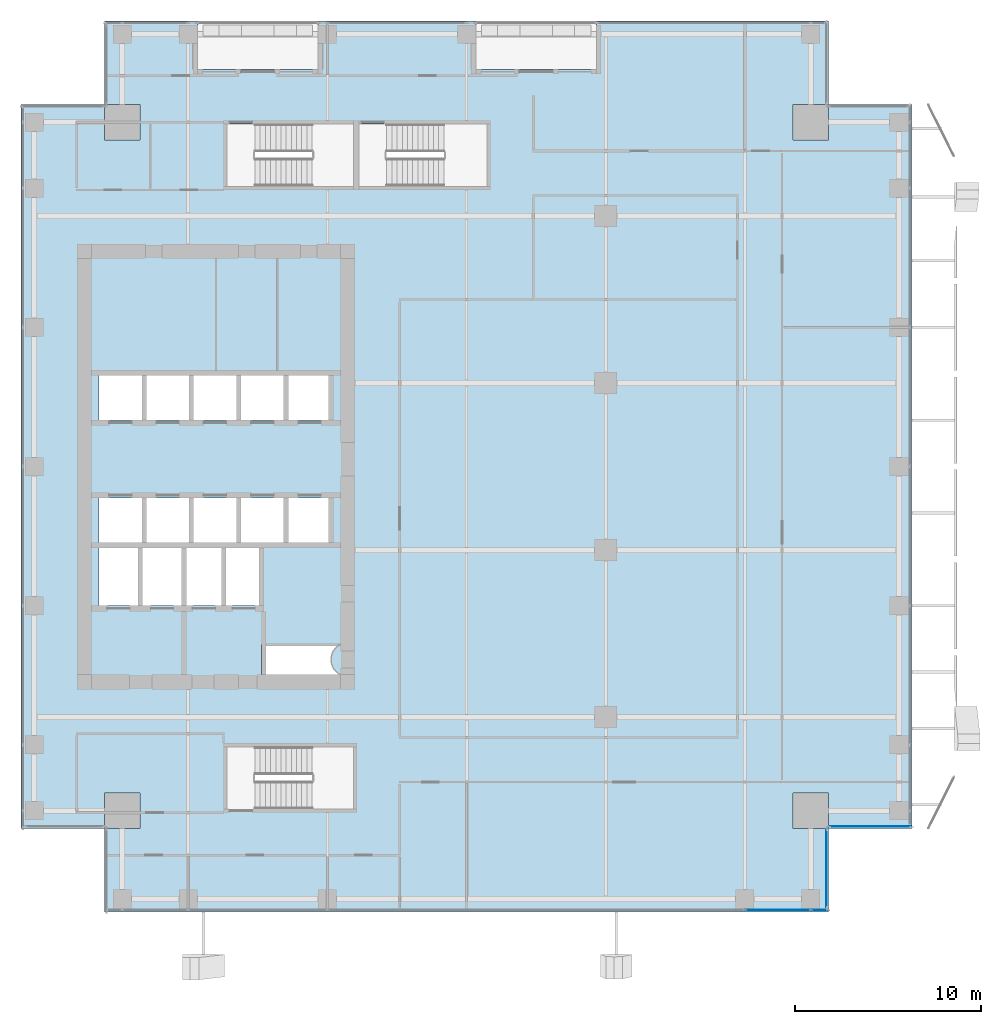
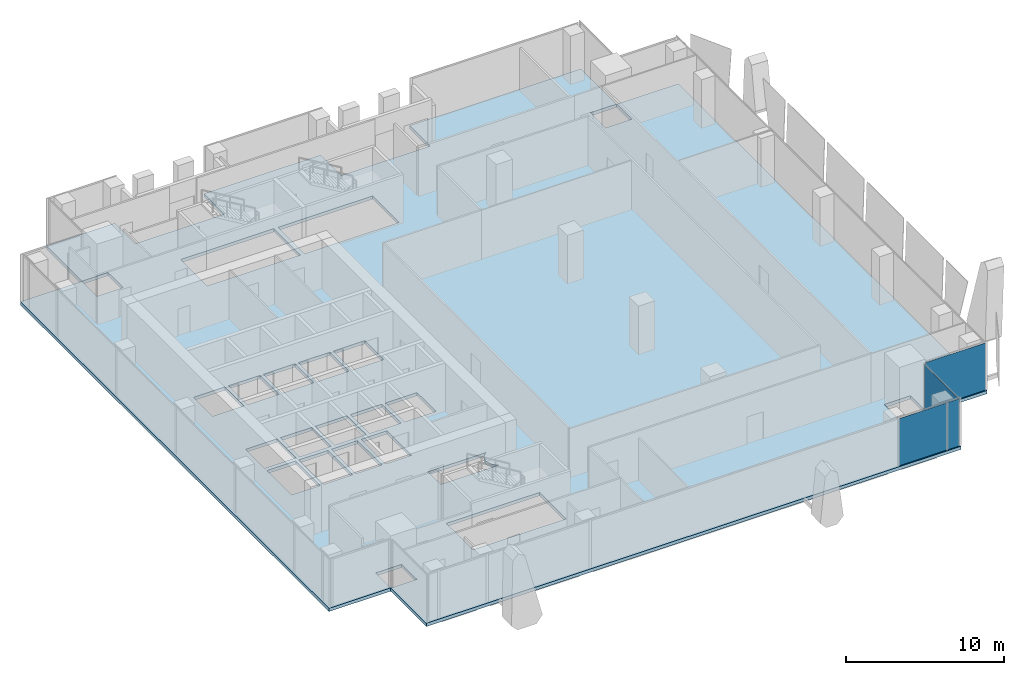
# One storey, part 28 of 38: 4 plates, 1 slab, 3 elements without a shape of their own.
"""IFC4 building model written with IfcOpenShell, lengths in metres."""

from ifc_helpers import new_model, si_unit, direction, frame, origin, origin_2d, place, context, subcontext, project, spatial, polyline, rectangle, outline, extrude, source, transform, mapped, material, layer, layer_set, type_object, element, aggregate, save


model = new_model("IFC4")

# Units and contexts
model_context = context("Model", 3, precision=1e-05, world=origin(), true_north=direction((0.0, 1.0)))
body_context = subcontext(model_context, "Body", "Model", "MODEL_VIEW")
ifc_project = project(units=[si_unit("LENGTHUNIT", "METRE"), si_unit("AREAUNIT", "SQUARE_METRE"), si_unit("VOLUMEUNIT", "CUBIC_METRE"), si_unit("PLANEANGLEUNIT", "RADIAN"), si_unit("MASSUNIT", "GRAM", prefix="KILO")], contexts=[model_context])

# Site, building, storey
site_placement = place(None, origin())
site = spatial("IfcSite", under=ifc_project, at=site_placement, CompositionType="ELEMENT")
building_placement = place(site_placement, origin())
building = spatial("IfcBuilding", under=site, at=building_placement, Name="Khomas Fold Tower", CompositionType="ELEMENT")
storey_placement = place(building_placement, frame((0.0, 0.0, 208.699951171875)))
storey = spatial("IfcBuildingStorey", under=building, at=storey_placement, Name="L46", CompositionType="ELEMENT", Elevation=208.699951171875)

# Slab
ifc_material_1 = material(Name="Concrete C40/50", Category="concrete")
ifc_layer_1 = layer(ifc_material_1, 0.25)
ifc_layer_set_1 = layer_set([ifc_layer_1], Name="Concrete C40/50")
slab_type = type_object("IfcSlabType", Name="RC floor slab 250", PredefinedType="FLOOR", material=ifc_layer_set_1)
shared_shape_1 = source(origin(), body_context, "Body", "SweptSolid", [
    extrude(outline(polyline([(3.0, 7.5), (7.4951171875, 7.5), (7.4951171875, 9.405029296875), (9.405029296875, 9.405029296875), (9.405029296875, 7.4951171875), (7.5, 7.4951171875), (7.5, 3.0), (46.5, 3.0), (46.5, 7.4951171875), (44.594970703125, 7.4951171875), (44.594970703125, 9.405029296875), (46.5048828125, 9.405029296875), (46.5048828125, 7.5), (51.0, 7.5), (51.0, 46.5), (46.5048828125, 46.5), (46.5048828125, 44.594970703125), (44.594970703125, 44.594970703125), (44.594970703125, 46.5048828125), (46.5, 46.5048828125), (46.5, 51.0), (34.0, 51.0), (34.0, 48.39990234375), (27.5, 48.39990234375), (27.5, 51.0), (19.0, 51.0), (19.0, 48.39990234375), (12.5, 48.39990234375), (12.5, 51.0), (7.5, 51.0), (7.5, 46.5048828125), (9.405029296875, 46.5048828125), (9.405029296875, 44.594970703125), (7.4951171875, 44.594970703125), (7.4951171875, 46.5), (3.0, 46.5), (3.0, 7.5)]), holes=[polyline([(7.199951171875, 19.5), (7.199951171875, 22.60009765625), (9.300048828125, 22.60009765625), (9.300048828125, 19.5), (7.199951171875, 19.5)]), polyline([(7.199951171875, 22.89990234375), (7.199951171875, 25.300048828125), (9.5, 25.300048828125), (9.5, 22.89990234375), (7.199951171875, 22.89990234375)]), polyline([(7.199951171875, 29.5), (7.199951171875, 31.89990234375), (9.5, 31.89990234375), (9.5, 29.5), (7.199951171875, 29.5)]), polyline([(9.550048828125, 19.5), (9.550048828125, 22.60009765625), (11.64990234375, 22.60009765625), (11.64990234375, 19.5), (9.550048828125, 19.5)]), polyline([(9.75, 22.89990234375), (9.75, 25.300048828125), (12.050048828125, 25.300048828125), (12.050048828125, 22.89990234375), (9.75, 22.89990234375)]), polyline([(9.75, 29.5), (9.75, 31.89990234375), (12.050048828125, 31.89990234375), (12.050048828125, 29.5), (9.75, 29.5)]), polyline([(11.89990234375, 19.5), (11.89990234375, 22.60009765625), (13.800048828125, 22.60009765625), (13.800048828125, 19.5), (11.89990234375, 19.5)]), polyline([(12.300048828125, 22.89990234375), (12.300048828125, 25.300048828125), (14.60009765625, 25.300048828125), (14.60009765625, 22.89990234375), (12.300048828125, 22.89990234375)]), polyline([(12.300048828125, 29.5), (12.300048828125, 31.89990234375), (14.60009765625, 31.89990234375), (14.60009765625, 29.5), (12.300048828125, 29.5)]), polyline([(14.050048828125, 19.5), (14.050048828125, 22.60009765625), (15.949951171875, 22.60009765625), (15.949951171875, 19.5), (14.050048828125, 19.5)]), polyline([(14.10009765625, 8.550048828125), (14.10009765625, 11.89990234375), (20.89990234375, 11.89990234375), (20.89990234375, 8.550048828125), (14.10009765625, 8.550048828125)]), polyline([(14.10009765625, 42.10009765625), (14.10009765625, 45.449951171875), (20.89990234375, 45.449951171875), (20.89990234375, 42.10009765625), (14.10009765625, 42.10009765625)]), polyline([(14.85009765625, 22.89990234375), (14.85009765625, 25.300048828125), (17.14990234375, 25.300048828125), (17.14990234375, 22.89990234375), (14.85009765625, 22.89990234375)]), polyline([(14.85009765625, 29.5), (14.85009765625, 31.89990234375), (17.14990234375, 31.89990234375), (17.14990234375, 29.5), (14.85009765625, 29.5)]), polyline([(15.949951171875, 15.800048828125), (15.949951171875, 17.39990234375), (20.18896484375, 17.39990234375), (20.17578125, 17.393798828125), (20.10009765625, 17.348388671875), (20.029052734375, 17.295654296875), (19.963623046875, 17.236328125), (19.904296875, 17.1708984375), (19.851806640625, 17.10009765625), (19.806396484375, 17.0244140625), (19.7685546875, 16.9443359375), (19.73876953125, 16.861328125), (19.71728515625, 16.775634765625), (19.704345703125, 16.688232421875), (19.699951171875, 16.60009765625), (19.704345703125, 16.51171875), (19.71728515625, 16.42431640625), (19.73876953125, 16.338623046875), (19.7685546875, 16.255615234375), (19.806396484375, 16.17578125), (19.851806640625, 16.10009765625), (19.904296875, 16.029052734375), (19.963623046875, 15.963623046875), (20.029052734375, 15.904296875), (20.10009765625, 15.851806640625), (20.17578125, 15.806396484375), (20.18896484375, 15.800048828125), (15.949951171875, 15.800048828125)]), polyline([(17.39990234375, 22.89990234375), (17.39990234375, 25.300048828125), (19.699951171875, 25.300048828125), (19.699951171875, 22.89990234375), (17.39990234375, 22.89990234375)]), polyline([(17.39990234375, 29.5), (17.39990234375, 31.89990234375), (19.699951171875, 31.89990234375), (19.699951171875, 29.5), (17.39990234375, 29.5)]), polyline([(21.199951171875, 42.10009765625), (21.199951171875, 45.449951171875), (28.10009765625, 45.449951171875), (28.10009765625, 42.10009765625), (21.199951171875, 42.10009765625)])]), origin(), (0.0, 0.0, 1.0), 0.25),
])
slab_placement = place(storey_placement, frame((0.0, 0.0, -0.25)))
element("IfcSlab", 1, at=slab_placement, inside=storey, type_object=slab_type, Name="S-L46", PredefinedType="FLOOR", context=body_context, shape_type="MappedRepresentation", body=[
    mapped(shared_shape_1, transform((0.0, 0.0, 0.0))),
])

# Curtain wall, plate
ifc_material_2 = material(Name="Aluminium framed double glazing", Category="aluminium")
curtain_wall_type = type_object("IfcCurtainWallType", Name="SK-Unitised clear-glass wall, office floors CW2", PredefinedType="NOTDEFINED", material=ifc_material_2)
curtain_wall_1_placement = place(storey_placement, origin())
curtain_wall_1 = element("IfcCurtainWall", 2, at=curtain_wall_1_placement, inside=storey, type_object=curtain_wall_type, Name="CW2 corner return L46 02", PredefinedType="NOTDEFINED")
ifc_material_3 = material(Name="Clear double glazed unit")
ifc_layer_2 = layer(ifc_material_3, 0.030029296875)
ifc_layer_set_2 = layer_set([ifc_layer_2], Name="Clear double glazed unit")
plate_type = type_object("IfcPlateType", Name="SK-Unitised clear-glass wall, office floors glass panel CW2-P", PredefinedType="CURTAIN_PANEL", material=ifc_layer_set_2)
shared_shape_2 = source(origin(), body_context, "Body", "SweptSolid", [
    extrude(rectangle(XDim=4.3798828125, YDim=0.030029296875, at=origin_2d()), origin(), (0.0, 0.0, 1.0), 3.639892578125),
])
plate_1_placement = place(storey_placement, frame((48.75, 7.60009765625, 0.0), z_axis=(0.0, 0.0, 1.0), x_axis=(1.0, 0.0, 0.0)))
plate_1 = element("IfcPlate", 3, at=plate_1_placement, type_object=plate_type, Name="CW2 glass panel 1", PredefinedType="CURTAIN_PANEL", context=body_context, shape_type="MappedRepresentation", body=[
    mapped(shared_shape_2, transform((0.0, 0.0, 0.0))),
])
aggregate(curtain_wall_1, [plate_1])

curtain_wall_2_placement = place(storey_placement, origin())
curtain_wall_2 = element("IfcCurtainWall", 4, at=curtain_wall_2_placement, inside=storey, type_object=curtain_wall_type, Name="CW2 run L46 00-0", PredefinedType="NOTDEFINED")
shared_shape_3 = source(origin(), body_context, "Body", "SweptSolid", [
    extrude(rectangle(XDim=3.489990234375, YDim=0.030029296875, at=origin_2d()), origin(), (0.0, 0.0, 1.0), 3.639892578125),
])
plate_2_placement = place(storey_placement, frame((43.77490234375, 3.10009765625, 0.0), z_axis=(0.0, 0.0, 1.0), x_axis=(1.0, 0.0, 0.0)))
plate_2 = element("IfcPlate", 5, at=plate_2_placement, type_object=plate_type, Name="CW2 glass panel 5", PredefinedType="CURTAIN_PANEL", context=body_context, shape_type="MappedRepresentation", body=[
    mapped(shared_shape_3, transform((0.0, 0.0, 0.0))),
])

curtain_wall_3_placement = place(storey_placement, origin())
curtain_wall_3 = element("IfcCurtainWall", 6, at=curtain_wall_3_placement, inside=storey, type_object=curtain_wall_type, Name="CW2 corner return L46 01", PredefinedType="NOTDEFINED")
shared_shape_4 = source(origin(), body_context, "Body", "SweptSolid", [
    extrude(rectangle(XDim=4.179931640625, YDim=0.030029296875, at=origin_2d()), origin(), (0.0, 0.0, 1.0), 3.639892578125),
])
plate_3_placement = place(storey_placement, frame((46.39990234375, 5.35009765625, 0.0), z_axis=(0.0, 0.0, 1.0), x_axis=(0.0, 1.0, 0.0)))
plate_3 = element("IfcPlate", 7, at=plate_3_placement, type_object=plate_type, Name="CW2 glass panel 1", PredefinedType="CURTAIN_PANEL", context=body_context, shape_type="MappedRepresentation", body=[
    mapped(shared_shape_4, transform((0.0, 0.0, 0.0))),
])
aggregate(curtain_wall_3, [plate_3])

# Plate
shared_shape_5 = source(origin(), body_context, "Body", "SweptSolid", [
    extrude(rectangle(XDim=0.860107421875, YDim=0.030029296875, at=origin_2d()), origin(), (0.0, 0.0, 1.0), 3.639892578125),
])
plate_4_placement = place(storey_placement, frame((46.010009765625, 3.10009765625, 0.0), z_axis=(0.0, 0.0, 1.0), x_axis=(1.0, 0.0, 0.0)))
plate_4 = element("IfcPlate", 8, at=plate_4_placement, type_object=plate_type, Name="CW2 glass panel 6", PredefinedType="CURTAIN_PANEL", context=body_context, shape_type="MappedRepresentation", body=[
    mapped(shared_shape_5, transform((0.0, 0.0, 0.0))),
])

aggregate(curtain_wall_2, [plate_2, plate_4])

save(model, "model.ifc")
